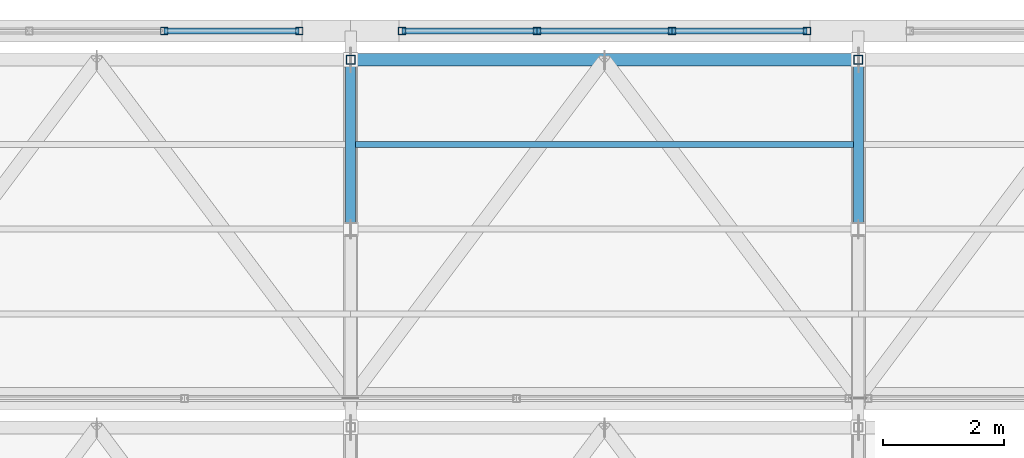
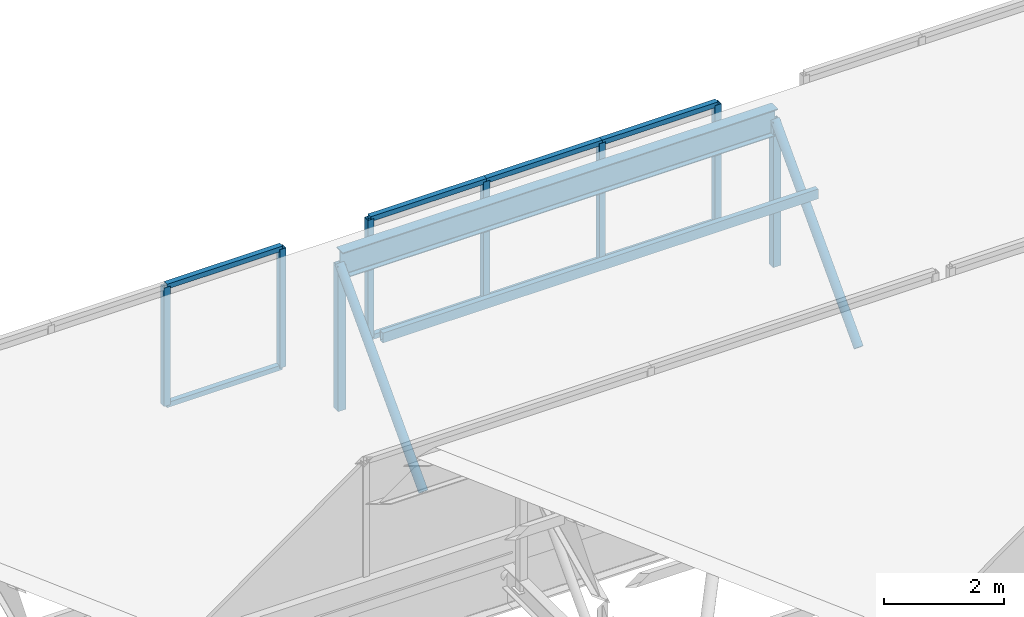
# One storey, part 130 of 217: 20 members, 2 elements without a shape of their own.
"""IFC4 building model written with IfcOpenShell, lengths in metres."""

from ifc_helpers import new_model, si_unit, direction, frame, origin, origin_2d, place, context, subcontext, project, spatial, hollow_rectangle, hollow_circle, i_section, extrude, material, material_profile, profile_set, type_object, element, aggregate, save


model = new_model("IFC4")

# Units and contexts
model_context = context("Model", 3, precision=1e-05, world=origin(), true_north=direction((0.0, 1.0)))
body_context = subcontext(model_context, "Body", "Model", "MODEL_VIEW")
ifc_project = project(units=[si_unit("LENGTHUNIT", "METRE"), si_unit("AREAUNIT", "SQUARE_METRE"), si_unit("VOLUMEUNIT", "CUBIC_METRE"), si_unit("PLANEANGLEUNIT", "RADIAN"), si_unit("MASSUNIT", "GRAM", prefix="KILO")], contexts=[model_context])

# Site, building, storey
site_placement = place(None, origin())
site = spatial("IfcSite", under=ifc_project, at=site_placement, CompositionType="ELEMENT")
building_placement = place(site_placement, origin())
building = spatial("IfcBuilding", under=site, at=building_placement, Name="Zuvorla Pavilion Media Centre", CompositionType="ELEMENT")
storey_placement = place(building_placement, frame((0.0, 0.0, 9.60009765625)))
storey = spatial("IfcBuildingStorey", under=building, at=storey_placement, Name="L02", CompositionType="ELEMENT", Elevation=9.60009765625)

# Curtain wall, members
ifc_material_1 = material(Name="Unitised anodised aluminium and solar glass curtain wall", Category="aluminium")
curtain_wall_type = type_object("IfcCurtainWallType", Name="CW-SYS-89", PredefinedType="USERDEFINED", material=ifc_material_1)
curtain_wall_1_placement = place(storey_placement, origin())
curtain_wall_1 = element("IfcCurtainWall", 1, at=curtain_wall_1_placement, inside=storey, type_object=curtain_wall_type, Name="L02 curtain wall CW89 220", ObjectType="CURTAIN WALL", PredefinedType="USERDEFINED")
ifc_material_2 = material(Name="Anodised aluminium 6063-T6", Category="aluminium")
ifc_material_profile_1 = material_profile(ifc_material_2, hollow_rectangle(XDim=0.1201171875, YDim=0.1201171875, WallThickness=0.0048828125, at=origin_2d()), Name="ALU MULL 120x120")
ifc_profile_set_1 = profile_set([ifc_material_profile_1], Name="Anodised aluminium 6063-T6")
member_type_1 = type_object("IfcMemberType", Name="CW-MULL-120", PredefinedType="MULLION", material=ifc_profile_set_1)
member_1_placement = place(storey_placement, frame((105.716552734375, 120.0, 0.0), z_axis=(0.0, 0.0, 1.0), x_axis=(1.0, 0.0, 0.0)))
member_1 = element("IfcMember", 2, at=member_1_placement, type_object=member_type_1, Name="CW89 mullion 3", PredefinedType="MULLION", context=body_context, shape_type="SweptSolid", body=[
    extrude(hollow_rectangle(XDim=0.1201171875, YDim=0.1201171875, WallThickness=0.0048828125, at=origin_2d()), origin(), (0.0, 0.0, 1.0), 2.419921875),
])
member_2_placement = place(storey_placement, frame((107.94970703125, 120.0, 0.0), z_axis=(0.0, 0.0, 1.0), x_axis=(1.0, 0.0, 0.0)))
member_2 = element("IfcMember", 3, at=member_2_placement, type_object=member_type_1, Name="CW89 mullion 4", PredefinedType="MULLION", context=body_context, shape_type="SweptSolid", body=[
    extrude(hollow_rectangle(XDim=0.1201171875, YDim=0.1201171875, WallThickness=0.0048828125, at=origin_2d()), origin(), (0.0, 0.0, 1.0), 2.419921875),
])

curtain_wall_2_placement = place(storey_placement, origin())
curtain_wall_2 = element("IfcCurtainWall", 4, at=curtain_wall_2_placement, inside=storey, type_object=curtain_wall_type, Name="L02 curtain wall CW89 221", ObjectType="CURTAIN WALL", PredefinedType="USERDEFINED")
member_3_placement = place(storey_placement, frame((109.650390625, 120.0, 0.0), z_axis=(0.0, 0.0, 1.0), x_axis=(1.0, 0.0, 0.0)))
member_3 = element("IfcMember", 5, at=member_3_placement, type_object=member_type_1, Name="CW89 mullion 1", PredefinedType="MULLION", context=body_context, shape_type="SweptSolid", body=[
    extrude(hollow_rectangle(XDim=0.1201171875, YDim=0.1201171875, WallThickness=0.0048828125, at=origin_2d()), origin(), (0.0, 0.0, 1.0), 2.419921875),
])
member_4_placement = place(storey_placement, frame((111.883544921875, 120.0, 0.0), z_axis=(0.0, 0.0, 1.0), x_axis=(1.0, 0.0, 0.0)))
member_4 = element("IfcMember", 6, at=member_4_placement, type_object=member_type_1, Name="CW89 mullion 2", PredefinedType="MULLION", context=body_context, shape_type="SweptSolid", body=[
    extrude(hollow_rectangle(XDim=0.1201171875, YDim=0.1201171875, WallThickness=0.0048828125, at=origin_2d()), origin(), (0.0, 0.0, 1.0), 2.419921875),
])
member_5_placement = place(storey_placement, frame((114.116455078125, 120.0, 0.0), z_axis=(0.0, 0.0, 1.0), x_axis=(1.0, 0.0, 0.0)))
member_5 = element("IfcMember", 7, at=member_5_placement, type_object=member_type_1, Name="CW89 mullion 3", PredefinedType="MULLION", context=body_context, shape_type="SweptSolid", body=[
    extrude(hollow_rectangle(XDim=0.1201171875, YDim=0.1201171875, WallThickness=0.0048828125, at=origin_2d()), origin(), (0.0, 0.0, 1.0), 2.419921875),
])
member_6_placement = place(storey_placement, frame((116.349609375, 120.0, 0.0), z_axis=(0.0, 0.0, 1.0), x_axis=(1.0, 0.0, 0.0)))
member_6 = element("IfcMember", 8, at=member_6_placement, type_object=member_type_1, Name="CW89 mullion 4", PredefinedType="MULLION", context=body_context, shape_type="SweptSolid", body=[
    extrude(hollow_rectangle(XDim=0.1201171875, YDim=0.1201171875, WallThickness=0.0048828125, at=origin_2d()), origin(), (0.0, 0.0, 1.0), 2.419921875),
])

# Member
ifc_material_profile_2 = material_profile(ifc_material_2, hollow_rectangle(XDim=0.10009765625, YDim=0.10009765625, WallThickness=0.00439453125, at=origin_2d()), Name="ALU TRAN 100x100")
ifc_profile_set_2 = profile_set([ifc_material_profile_2], Name="Anodised aluminium 6063-T6")
member_type_2 = type_object("IfcMemberType", Name="CW-TRAN-100", PredefinedType="USERDEFINED", material=ifc_profile_set_2)
member_7_placement = place(storey_placement, frame((105.716552734375, 120.0, 0.0), z_axis=(1.0, 0.0, 0.0), x_axis=(0.0, 1.0, 0.0)))
member_7 = element("IfcMember", 9, at=member_7_placement, type_object=member_type_2, Name="CW89 transom 3.1", ObjectType="TRANSOM", PredefinedType="USERDEFINED", context=body_context, shape_type="SweptSolid", body=[
    extrude(hollow_rectangle(XDim=0.10009765625, YDim=0.10009765625, WallThickness=0.00439453125, at=origin_2d()), origin(), (0.0, 0.0, 1.0), 2.233154296875),
])

member_8_placement = place(storey_placement, frame((105.716552734375, 120.0, 2.419921875), z_axis=(1.0, 0.0, 0.0), x_axis=(0.0, 1.0, 0.0)))
member_8 = element("IfcMember", 10, at=member_8_placement, type_object=member_type_2, Name="CW89 transom 3.2", ObjectType="TRANSOM", PredefinedType="USERDEFINED", context=body_context, shape_type="SweptSolid", body=[
    extrude(hollow_rectangle(XDim=0.10009765625, YDim=0.10009765625, WallThickness=0.00439453125, at=origin_2d()), origin(), (0.0, 0.0, 1.0), 2.233154296875),
])

aggregate(curtain_wall_1, [member_1, member_2, member_7, member_8])

member_9_placement = place(storey_placement, frame((109.650390625, 120.0, 0.0), z_axis=(1.0, 0.0, 0.0), x_axis=(0.0, 1.0, 0.0)))
member_9 = element("IfcMember", 11, at=member_9_placement, type_object=member_type_2, Name="CW89 transom 1.1", ObjectType="TRANSOM", PredefinedType="USERDEFINED", context=body_context, shape_type="SweptSolid", body=[
    extrude(hollow_rectangle(XDim=0.10009765625, YDim=0.10009765625, WallThickness=0.00439453125, at=origin_2d()), origin(), (0.0, 0.0, 1.0), 2.233154296875),
])

member_10_placement = place(storey_placement, frame((109.650390625, 120.0, 2.419921875), z_axis=(1.0, 0.0, 0.0), x_axis=(0.0, 1.0, 0.0)))
member_10 = element("IfcMember", 12, at=member_10_placement, type_object=member_type_2, Name="CW89 transom 1.2", ObjectType="TRANSOM", PredefinedType="USERDEFINED", context=body_context, shape_type="SweptSolid", body=[
    extrude(hollow_rectangle(XDim=0.10009765625, YDim=0.10009765625, WallThickness=0.00439453125, at=origin_2d()), origin(), (0.0, 0.0, 1.0), 2.233154296875),
])

member_11_placement = place(storey_placement, frame((111.883544921875, 120.0, 0.0), z_axis=(1.0, 0.0, 0.0), x_axis=(0.0, 1.0, 0.0)))
member_11 = element("IfcMember", 13, at=member_11_placement, type_object=member_type_2, Name="CW89 transom 2.1", ObjectType="TRANSOM", PredefinedType="USERDEFINED", context=body_context, shape_type="SweptSolid", body=[
    extrude(hollow_rectangle(XDim=0.10009765625, YDim=0.10009765625, WallThickness=0.00439453125, at=origin_2d()), origin(), (0.0, 0.0, 1.0), 2.23291015625),
])

member_12_placement = place(storey_placement, frame((111.883544921875, 120.0, 2.419921875), z_axis=(1.0, 0.0, 0.0), x_axis=(0.0, 1.0, 0.0)))
member_12 = element("IfcMember", 14, at=member_12_placement, type_object=member_type_2, Name="CW89 transom 2.2", ObjectType="TRANSOM", PredefinedType="USERDEFINED", context=body_context, shape_type="SweptSolid", body=[
    extrude(hollow_rectangle(XDim=0.10009765625, YDim=0.10009765625, WallThickness=0.00439453125, at=origin_2d()), origin(), (0.0, 0.0, 1.0), 2.23291015625),
])

member_13_placement = place(storey_placement, frame((114.116455078125, 120.0, 0.0), z_axis=(1.0, 0.0, 0.0), x_axis=(0.0, 1.0, 0.0)))
member_13 = element("IfcMember", 15, at=member_13_placement, type_object=member_type_2, Name="CW89 transom 3.1", ObjectType="TRANSOM", PredefinedType="USERDEFINED", context=body_context, shape_type="SweptSolid", body=[
    extrude(hollow_rectangle(XDim=0.10009765625, YDim=0.10009765625, WallThickness=0.00439453125, at=origin_2d()), origin(), (0.0, 0.0, 1.0), 2.233154296875),
])

member_14_placement = place(storey_placement, frame((114.116455078125, 120.0, 2.419921875), z_axis=(1.0, 0.0, 0.0), x_axis=(0.0, 1.0, 0.0)))
member_14 = element("IfcMember", 16, at=member_14_placement, type_object=member_type_2, Name="CW89 transom 3.2", ObjectType="TRANSOM", PredefinedType="USERDEFINED", context=body_context, shape_type="SweptSolid", body=[
    extrude(hollow_rectangle(XDim=0.10009765625, YDim=0.10009765625, WallThickness=0.00439453125, at=origin_2d()), origin(), (0.0, 0.0, 1.0), 2.233154296875),
])

aggregate(curtain_wall_2, [member_3, member_4, member_5, member_6, member_9, member_10, member_11, member_12, member_13, member_14])

# Members
ifc_material_3 = material(Name="Steel S355", Category="steel")
ifc_material_profile_3 = material_profile(ifc_material_3, hollow_circle(Radius=0.084228515625, WallThickness=0.008056640625, at=origin_2d()), Name="CHS 168.3x8")
ifc_profile_set_3 = profile_set([ifc_material_profile_3], Name="Steel S355")
member_type_3 = type_object("IfcMemberType", Name="MEM-BRC-CHS168", PredefinedType="BRACE", material=ifc_profile_set_3)
for number, where, z_axis, x_axis, name in (
    (17, (108.800048828125, 116.719970703125, -0.880126953125), (0.0, 0.68676242614, 0.726881950555), (-1.0, 0.0, 0.0), "L02 diagonal brace TB03 433"),
    (18, (117.199951171875, 116.719970703125, -0.880126953125), (0.0, 0.68676242614, 0.726881950555), (-1.0, 0.0, 0.0), "L02 diagonal brace TB03 438"),
):
    element("IfcMember", number, at=place(storey_placement, frame(where, z_axis=z_axis, x_axis=x_axis)), inside=storey, type_object=member_type_3, Name=name, PredefinedType="BRACE", context=body_context, shape_type="SweptSolid", body=[
        extrude(hollow_circle(Radius=0.084228515625, WallThickness=0.008056640625, at=origin_2d()), origin(), (0.0, 0.0, 1.0), 4.0771484375),
    ])
ifc_material_profile_4 = material_profile(ifc_material_3, i_section(OverallWidth=0.2099609375, OverallDepth=0.53662109375, WebThickness=0.0107421875, FlangeThickness=0.017333984375, FilletRadius=0.0126953125, at=origin_2d()), Name="UB 533x210x101")
ifc_profile_set_4 = profile_set([ifc_material_profile_4], Name="Steel S355")
member_type_4 = type_object("IfcMemberType", Name="MEM-CHD-UB533", PredefinedType="CHORD", material=ifc_profile_set_4)
member_15_placement = place(storey_placement, frame((108.800048828125, 119.52001953125, 2.08349609375), z_axis=(1.0, 0.0, 0.0), x_axis=(0.0, 1.0, 0.0)))
element("IfcMember", 19, at=member_15_placement, inside=storey, type_object=member_type_4, Name="L02 chord TC02 480", PredefinedType="CHORD", context=body_context, shape_type="SweptSolid", body=[
    extrude(i_section(OverallWidth=0.2099609375, OverallDepth=0.53662109375, WebThickness=0.0107421875, FlangeThickness=0.017333984375, FilletRadius=0.0126953125, at=origin_2d()), origin(), (0.0, 0.0, 1.0), 8.39990234375),
])
ifc_material_profile_5 = material_profile(ifc_material_3, hollow_rectangle(XDim=0.10009765625, YDim=0.199951171875, WallThickness=0.008056640625, at=origin_2d()), Name="RHS 200x100x8")
ifc_profile_set_5 = profile_set([ifc_material_profile_5], Name="Steel S355")
member_type_5 = type_object("IfcMemberType", Name="MEM-PUR-RHS200", PredefinedType="PURLIN", material=ifc_profile_set_5)
member_16_placement = place(storey_placement, frame((108.800048828125, 118.1201171875, 1.43359375), z_axis=(1.0, 0.0, 0.0), x_axis=(0.0, 1.0, 0.0)))
element("IfcMember", 20, at=member_16_placement, inside=storey, type_object=member_type_5, Name="L02 purlin PR01 485", PredefinedType="PURLIN", context=body_context, shape_type="SweptSolid", body=[
    extrude(hollow_rectangle(XDim=0.10009765625, YDim=0.199951171875, WallThickness=0.008056640625, at=origin_2d()), origin(), (0.0, 0.0, 1.0), 8.39990234375),
])
ifc_material_profile_6 = material_profile(ifc_material_3, hollow_rectangle(XDim=0.14990234375, YDim=0.14990234375, WallThickness=0.008056640625, at=origin_2d()), Name="SHS 150x150x8")
ifc_profile_set_6 = profile_set([ifc_material_profile_6], Name="Steel S355")
member_type_6 = type_object("IfcMemberType", Name="MEM-STR-SHS150", PredefinedType="STRUT", material=ifc_profile_set_6)
for number, where, z_axis, x_axis, name in (
    (21, (108.800048828125, 119.52001953125, -0.880126953125), (0.0, 0.0, 1.0), (1.0, 0.0, 0.0), "L02 vertical strut TS01 432"),
    (22, (117.199951171875, 119.52001953125, -0.880126953125), (0.0, 0.0, 1.0), (1.0, 0.0, 0.0), "L02 vertical strut TS01 437"),
):
    element("IfcMember", number, at=place(storey_placement, frame(where, z_axis=z_axis, x_axis=x_axis)), inside=storey, type_object=member_type_6, Name=name, PredefinedType="STRUT", context=body_context, shape_type="SweptSolid", body=[
        extrude(hollow_rectangle(XDim=0.14990234375, YDim=0.14990234375, WallThickness=0.008056640625, at=origin_2d()), origin(), (0.0, 0.0, 1.0), 2.963623046875),
    ])

save(model, "model.ifc")
